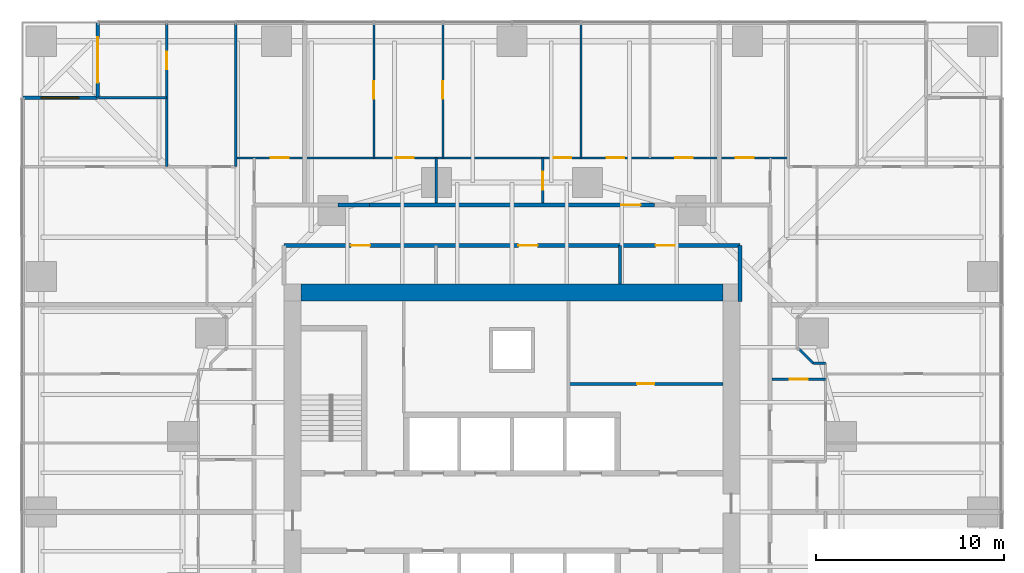
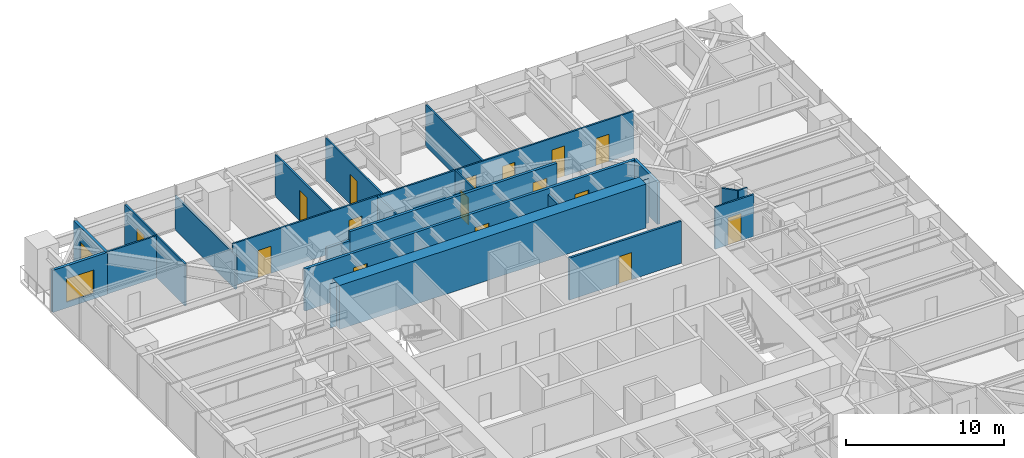
# One storey, part 15 of 18: 21 walls, 17 doors, 1 window, 18 openings.
"""IFC4 building model written with IfcOpenShell, lengths in metres."""

from ifc_helpers import new_model, si_unit, direction, frame, frame_2d, origin, place, context, subcontext, project, spatial, polyline, rectangle, outline, extrude, material, layer, layer_set, type_object, element, fill, save


model = new_model("IFC4")

# Units and contexts
model_context = context("Model", 3, precision=1e-05, world=origin(), true_north=direction((0.0, 1.0)))
body_context = subcontext(model_context, "Body", "Model", "MODEL_VIEW")
ifc_project = project(units=[si_unit("LENGTHUNIT", "METRE"), si_unit("AREAUNIT", "SQUARE_METRE"), si_unit("VOLUMEUNIT", "CUBIC_METRE"), si_unit("PLANEANGLEUNIT", "RADIAN"), si_unit("MASSUNIT", "GRAM", prefix="KILO")], contexts=[model_context])

# Site, building, storey
site_placement = place(None, origin())
site = spatial("IfcSite", under=ifc_project, at=site_placement, CompositionType="ELEMENT")
building_placement = place(site_placement, origin())
building = spatial("IfcBuilding", under=site, at=building_placement, Name="Torsade Residences", CompositionType="ELEMENT")
storey_placement = place(building_placement, frame((0.0, 0.0, 28.60009765625)))
storey = spatial("IfcBuildingStorey", under=building, at=storey_placement, Name="L07", CompositionType="ELEMENT", Elevation=28.60009765625)

# Wall
ifc_material_1 = material(Name="Concrete 80 MPa", Category="concrete")
ifc_layer_1 = layer(ifc_material_1, 0.89990234375)
ifc_layer_set_1 = layer_set([ifc_layer_1], Name="Concrete 80 MPa")
wall_type_1 = type_object("IfcWallType", Name="CORE WALL 900", PredefinedType="SHEAR", material=ifc_layer_set_1)
wall_1_placement = place(storey_placement, frame((28.800048828125, 41.64990234375, 0.0), z_axis=(0.0, 0.0, 1.0), x_axis=(1.0, 0.0, 0.0)))
element("IfcWall", 1, at=wall_1_placement, inside=storey, type_object=wall_type_1, Name="Core wall N L07", PredefinedType="SHEAR", context=body_context, shape_type="SweptSolid", body=[
    extrude(outline(polyline([(0.0, -0.449951171875), (22.39990234375, -0.449951171875), (22.39990234375, -0.02490234375), (22.849853515625, -0.02490234375), (22.849853515625, 0.02490234375), (22.39990234375, 0.02490234375), (22.39990234375, 0.449951171875), (0.0, 0.449951171875), (0.0, 0.02490234375), (-0.449951171875, 0.02490234375), (-0.449951171875, -0.02490234375), (0.0, -0.02490234375), (0.0, -0.449951171875)])), origin(), (0.0, 0.0, 1.0), 3.39990234375),
])

# Wall, opening, door
ifc_material_2 = material(Name="Plasterboard on steel stud", Category="steel")
ifc_layer_2 = layer(ifc_material_2, 0.199951171875)
ifc_layer_set_2 = layer_set([ifc_layer_2], Name="Plasterboard on steel stud")
wall_type_2 = type_object("IfcWallType", Name="CORRIDOR WALL 200", PredefinedType="PARTITIONING", material=ifc_layer_set_2)
wall_2_placement = place(storey_placement, frame((47.558349609375, 46.300048828125, 0.0), z_axis=(0.0, 0.0, 1.0), x_axis=(-1.0, 0.0, 0.0)))
wall_2 = element("IfcWall", 2, at=wall_2_placement, inside=storey, type_object=wall_type_2, Name="Corridor wall L07", PredefinedType="PARTITIONING", context=body_context, shape_type="SweptSolid", body=[
    extrude(rectangle(XDim=15.11669921875, YDim=0.199951171875, at=frame_2d((7.558349609375, 0.0))), origin(), (0.0, 0.0, 1.0), 3.25),
])
opening_1_placement = place(wall_2_placement, frame((0.72900390625, 0.0, 0.0)))
opening_1 = element("IfcOpeningElement", 3, at=opening_1_placement, cuts=wall_2, Name="Opening D01", PredefinedType="OPENING", context=body_context, shape_type="SweptSolid", body=[
    extrude(rectangle(XDim=1.02001953125, YDim=2.340087890625, at=frame_2d((0.510009765625, 1.169921875))), frame((0.0, 0.10986328125, 0.0), z_axis=(0.0, -1.0, 0.0), x_axis=(1.0, 0.0, 0.0)), (0.0, 0.0, 1.0), 0.219970703125),
])
ifc_material_3 = material(Name="Solid-core timber fire door", Category="wood")
door_type_1 = type_object("IfcDoorType", Name="APARTMENT ENTRY DOOR 1020x2340", OperationType="NOTDEFINED", PredefinedType="DOOR", material=ifc_material_3)
door_1_placement = place(opening_1_placement, origin())
door_1 = element("IfcDoor", 4, at=door_1_placement, inside=storey, type_object=door_type_1, Name="Door Residential corridor to Kitchen and dining", OperationType="SINGLE_SWING_LEFT", OverallHeight=2.340087890625, OverallWidth=1.02001953125, PredefinedType="DOOR", context=body_context, shape_type="SweptSolid", body=[
    extrude(rectangle(XDim=1.02001953125, YDim=2.340087890625, at=frame_2d((0.510009765625, 1.169921875))), frame((0.0, 0.02490234375, 0.0), z_axis=(0.0, -1.0, 0.0), x_axis=(1.0, 0.0, 0.0)), (0.0, 0.0, 1.0), 0.050048828125),
])
fill(opening_1, door_1)

# Wall
wall_3_placement = place(storey_placement, frame((32.441650390625, 46.300048828125, 0.0), z_axis=(0.0, 0.0, 1.0), x_axis=(-1.0, 0.0, 0.0)))
element("IfcWall", 5, at=wall_3_placement, inside=storey, type_object=wall_type_2, Name="Corridor wall L07", PredefinedType="PARTITIONING", context=body_context, shape_type="SweptSolid", body=[
    extrude(rectangle(XDim=1.683349609375, YDim=0.199951171875, at=frame_2d((0.841796875, 0.0))), origin(), (0.0, 0.0, 1.0), 2.5498046875),
])

# Wall, openings, doors
wall_4_placement = place(storey_placement, frame((52.10009765625, 44.14990234375, 0.0), z_axis=(0.0, 0.0, 1.0), x_axis=(-1.0, 0.0, 0.0)))
wall_4 = element("IfcWall", 6, at=wall_4_placement, inside=storey, type_object=wall_type_2, Name="Corridor wall L07", PredefinedType="PARTITIONING", context=body_context, shape_type="SweptSolid", body=[
    extrude(rectangle(XDim=24.2001953125, YDim=0.199951171875, at=frame_2d((12.10009765625, 0.0))), origin(), (0.0, 0.0, 1.0), 3.25),
])
opening_2_placement = place(wall_4_placement, frame((10.742919921875, 0.0, 0.0)))
opening_2 = element("IfcOpeningElement", 7, at=opening_2_placement, cuts=wall_4, Name="Opening D03", PredefinedType="OPENING", context=body_context, shape_type="SweptSolid", body=[
    extrude(rectangle(XDim=1.02001953125, YDim=2.10009765625, at=frame_2d((0.510009765625, 1.050048828125))), frame((0.0, 0.10986328125, 0.0), z_axis=(0.0, -1.0, 0.0), x_axis=(1.0, 0.0, 0.0)), (0.0, 0.0, 1.0), 0.219970703125),
])
opening_3_placement = place(wall_4_placement, frame((19.6357421875, 0.0, 0.0)))
opening_3 = element("IfcOpeningElement", 8, at=opening_3_placement, cuts=wall_4, Name="Opening D03", PredefinedType="OPENING", context=body_context, shape_type="SweptSolid", body=[
    extrude(rectangle(XDim=1.02001953125, YDim=2.10009765625, at=frame_2d((0.510009765625, 1.050048828125))), frame((0.0, 0.10986328125, 0.0), z_axis=(0.0, -1.0, 0.0), x_axis=(1.0, 0.0, 0.0)), (0.0, 0.0, 1.0), 0.219970703125),
])
opening_4_placement = place(wall_4_placement, frame((3.447265625, 0.0, 0.0)))
opening_4 = element("IfcOpeningElement", 9, at=opening_4_placement, cuts=wall_4, Name="Opening D03", PredefinedType="OPENING", context=body_context, shape_type="SweptSolid", body=[
    extrude(rectangle(XDim=1.02001953125, YDim=2.10009765625, at=frame_2d((0.510009765625, 1.050048828125))), frame((0.0, 0.10986328125, 0.0), z_axis=(0.0, -1.0, 0.0), x_axis=(1.0, 0.0, 0.0)), (0.0, 0.0, 1.0), 0.219970703125),
])
ifc_material_4 = material(Name="Steel-framed fire door", Category="steel")
door_type_2 = type_object("IfcDoorType", Name="FIRE DOOR 1020", OperationType="NOTDEFINED", PredefinedType="DOOR", material=ifc_material_4)
door_2_placement = place(opening_2_placement, origin())
door_2 = element("IfcDoor", 10, at=door_2_placement, inside=storey, type_object=door_type_2, Name="Door Residential corridor to Residents storage", OperationType="SINGLE_SWING_LEFT", OverallHeight=2.10009765625, OverallWidth=1.02001953125, PredefinedType="DOOR", context=body_context, shape_type="SweptSolid", body=[
    extrude(rectangle(XDim=1.02001953125, YDim=2.10009765625, at=frame_2d((0.510009765625, 1.050048828125))), frame((0.0, 0.02490234375, 0.0), z_axis=(0.0, -1.0, 0.0), x_axis=(1.0, 0.0, 0.0)), (0.0, 0.0, 1.0), 0.050048828125),
])
fill(opening_2, door_2)
door_3_placement = place(opening_3_placement, origin())
door_3 = element("IfcDoor", 11, at=door_3_placement, inside=storey, type_object=door_type_2, Name="Door Residential corridor to Bulk store", OperationType="SINGLE_SWING_RIGHT", OverallHeight=2.10009765625, OverallWidth=1.02001953125, PredefinedType="DOOR", context=body_context, shape_type="SweptSolid", body=[
    extrude(rectangle(XDim=1.02001953125, YDim=2.10009765625, at=frame_2d((0.510009765625, 1.050048828125))), frame((0.0, 0.02490234375, 0.0), z_axis=(0.0, -1.0, 0.0), x_axis=(1.0, 0.0, 0.0)), (0.0, 0.0, 1.0), 0.050048828125),
])
fill(opening_3, door_3)
door_4_placement = place(opening_4_placement, origin())
door_4 = element("IfcDoor", 12, at=door_4_placement, inside=storey, type_object=door_type_2, Name="Door Residential corridor to Parcel room", OperationType="SINGLE_SWING_RIGHT", OverallHeight=2.10009765625, OverallWidth=1.02001953125, PredefinedType="DOOR", context=body_context, shape_type="SweptSolid", body=[
    extrude(rectangle(XDim=1.02001953125, YDim=2.10009765625, at=frame_2d((0.510009765625, 1.050048828125))), frame((0.0, 0.02490234375, 0.0), z_axis=(0.0, -1.0, 0.0), x_axis=(1.0, 0.0, 0.0)), (0.0, 0.0, 1.0), 0.050048828125),
])
fill(opening_4, door_4)

# Wall
wall_5_placement = place(storey_placement, frame((52.10009765625, 41.179931640625, 0.0), z_axis=(0.0, 0.0, 1.0), x_axis=(0.0, 1.0, 0.0)))
element("IfcWall", 13, at=wall_5_placement, inside=storey, type_object=wall_type_2, Name="Corridor wall L07", PredefinedType="PARTITIONING", context=body_context, shape_type="SweptSolid", body=[
    extrude(rectangle(XDim=2.969970703125, YDim=0.199951171875, at=frame_2d((1.48486328125, 0.0))), origin(), (0.0, 0.0, 1.0), 3.25),
])

# Wall, opening, door
ifc_material_5 = material(Name="Plasterboard on steel stud", Category="steel")
ifc_layer_3 = layer(ifc_material_5, 0.1201171875)
ifc_layer_set_3 = layer_set([ifc_layer_3], Name="Plasterboard on steel stud")
wall_type_3 = type_object("IfcWallType", Name="PARTITION 120", PredefinedType="PARTITIONING", material=ifc_layer_set_3)
wall_6_placement = place(storey_placement, frame((53.800048828125, 37.046142578125, 0.0), z_axis=(0.0, 0.0, 1.0), x_axis=(1.0, 0.0, 0.0)))
wall_6 = element("IfcWall", 14, at=wall_6_placement, inside=storey, type_object=wall_type_3, Name="Partition L07", PredefinedType="PARTITIONING", context=body_context, shape_type="SweptSolid", body=[
    extrude(rectangle(XDim=2.849853515625, YDim=0.1201171875, at=frame_2d((1.4248046875, 0.0))), origin(), (0.0, 0.0, 1.0), 3.25),
])
opening_5_placement = place(wall_6_placement, frame((0.945068359375, 0.0, 0.0)))
opening_5 = element("IfcOpeningElement", 15, at=opening_5_placement, cuts=wall_6, Name="Opening D05", PredefinedType="OPENING", context=body_context, shape_type="SweptSolid", body=[
    extrude(rectangle(XDim=0.9599609375, YDim=2.10009765625, at=frame_2d((0.47998046875, 1.050048828125))), frame((0.0, 0.070068359375, 0.0), z_axis=(0.0, -1.0, 0.0), x_axis=(1.0, 0.0, 0.0)), (0.0, 0.0, 1.0), 0.14013671875),
])
ifc_material_6 = material(Name="Hollow-core timber door in a steel cavity frame", Category="steel")
door_type_3 = type_object("IfcDoorType", Name="BATHROOM CAVITY SLIDING DOOR 960", OperationType="SLIDING_TO_LEFT", PredefinedType="DOOR", material=ifc_material_6)
door_5_placement = place(opening_5_placement, origin())
door_5 = element("IfcDoor", 16, at=door_5_placement, inside=storey, type_object=door_type_3, Name="Door Kitchen and dining to Bathroom", OperationType="SLIDING_TO_LEFT", OverallHeight=2.10009765625, OverallWidth=0.9599609375, PredefinedType="DOOR", context=body_context, shape_type="SweptSolid", body=[
    extrude(rectangle(XDim=0.9599609375, YDim=2.10009765625, at=frame_2d((0.47998046875, 1.050048828125))), frame((0.0, 0.02490234375, 0.0), z_axis=(0.0, -1.0, 0.0), x_axis=(1.0, 0.0, 0.0)), (0.0, 0.0, 1.0), 0.050048828125),
])
fill(opening_5, door_5)

# Walls
wall_7_placement = place(storey_placement, frame((55.25, 38.64990234375, 0.0), z_axis=(0.0, 0.0, 1.0), x_axis=(0.707106781187, -0.707106781187, 0.0)))
element("IfcWall", 17, at=wall_7_placement, inside=storey, type_object=wall_type_3, Name="Partition L07", PredefinedType="PARTITIONING", context=body_context, shape_type="SweptSolid", body=[
    extrude(rectangle(XDim=1.060546875, YDim=0.1201171875, at=frame_2d((0.5302734375, 0.0))), origin(), (0.0, 0.0, 1.0), 3.25),
])
wall_8_placement = place(storey_placement, frame((56.0, 37.89990234375, 0.0), z_axis=(0.0, 0.0, 1.0), x_axis=(1.0, 0.0, 0.0)))
element("IfcWall", 18, at=wall_8_placement, inside=storey, type_object=wall_type_3, Name="Partition L07", PredefinedType="PARTITIONING", context=body_context, shape_type="SweptSolid", body=[
    extrude(rectangle(XDim=0.64990234375, YDim=0.1201171875, at=frame_2d((0.324951171875, 0.0))), origin(), (0.0, 0.0, 1.0), 3.25),
])

# Wall, openings, doors
wall_9_placement = place(storey_placement, frame((25.333251953125, 48.800048828125, 0.0), z_axis=(0.0, 0.0, 1.0), x_axis=(1.0, 0.0, 0.0)))
wall_9 = element("IfcWall", 19, at=wall_9_placement, inside=storey, type_object=wall_type_3, Name="Partition L07", PredefinedType="PARTITIONING", context=body_context, shape_type="SweptSolid", body=[
    extrude(rectangle(XDim=29.33349609375, YDim=0.1201171875, at=frame_2d((14.666748046875, 0.0))), origin(), (0.0, 0.0, 1.0), 3.25),
])
opening_6_placement = place(wall_9_placement, frame((19.706787109375, 0.0, 0.0)))
opening_6 = element("IfcOpeningElement", 20, at=opening_6_placement, cuts=wall_9, Name="Opening D02", PredefinedType="OPENING", context=body_context, shape_type="SweptSolid", body=[
    extrude(rectangle(XDim=0.919921875, YDim=2.340087890625, at=frame_2d((0.4599609375, 1.169921875))), frame((0.0, 0.070068359375, 0.0), z_axis=(0.0, -1.0, 0.0), x_axis=(1.0, 0.0, 0.0)), (0.0, 0.0, 1.0), 0.14013671875),
])
opening_7_placement = place(wall_9_placement, frame((23.348388671875, 0.0, 0.0)))
opening_7 = element("IfcOpeningElement", 21, at=opening_7_placement, cuts=wall_9, Name="Opening D02", PredefinedType="OPENING", context=body_context, shape_type="SweptSolid", body=[
    extrude(rectangle(XDim=0.919921875, YDim=2.340087890625, at=frame_2d((0.4599609375, 1.169921875))), frame((0.0, 0.070068359375, 0.0), z_axis=(0.0, -1.0, 0.0), x_axis=(1.0, 0.0, 0.0)), (0.0, 0.0, 1.0), 0.14013671875),
])
opening_8_placement = place(wall_9_placement, frame((16.88427734375, 0.0, 0.0)))
opening_8 = element("IfcOpeningElement", 22, at=opening_8_placement, cuts=wall_9, Name="Opening D02", PredefinedType="OPENING", context=body_context, shape_type="SweptSolid", body=[
    extrude(rectangle(XDim=0.919921875, YDim=2.340087890625, at=frame_2d((0.4599609375, 1.169921875))), frame((0.0, 0.070068359375, 0.0), z_axis=(0.0, -1.0, 0.0), x_axis=(1.0, 0.0, 0.0)), (0.0, 0.0, 1.0), 0.14013671875),
])
opening_9_placement = place(wall_9_placement, frame((26.548828125, 0.0, 0.0)))
opening_9 = element("IfcOpeningElement", 23, at=opening_9_placement, cuts=wall_9, Name="Opening D05", PredefinedType="OPENING", context=body_context, shape_type="SweptSolid", body=[
    extrude(rectangle(XDim=0.9599609375, YDim=2.10009765625, at=frame_2d((0.47998046875, 1.050048828125))), frame((0.0, 0.070068359375, 0.0), z_axis=(0.0, -1.0, 0.0), x_axis=(1.0, 0.0, 0.0)), (0.0, 0.0, 1.0), 0.14013671875),
])
opening_10_placement = place(wall_9_placement, frame((1.843994140625, 0.0, 0.0)))
opening_10 = element("IfcOpeningElement", 24, at=opening_10_placement, cuts=wall_9, Name="Opening D05", PredefinedType="OPENING", context=body_context, shape_type="SweptSolid", body=[
    extrude(rectangle(XDim=0.9599609375, YDim=2.10009765625, at=frame_2d((0.47998046875, 1.050048828125))), frame((0.0, 0.070068359375, 0.0), z_axis=(0.0, -1.0, 0.0), x_axis=(1.0, 0.0, 0.0)), (0.0, 0.0, 1.0), 0.14013671875),
])
opening_11_placement = place(wall_9_placement, frame((8.484130859375, 0.0, 0.0)))
opening_11 = element("IfcOpeningElement", 25, at=opening_11_placement, cuts=wall_9, Name="Opening D05", PredefinedType="OPENING", context=body_context, shape_type="SweptSolid", body=[
    extrude(rectangle(XDim=0.9599609375, YDim=2.10009765625, at=frame_2d((0.47998046875, 1.050048828125))), frame((0.0, 0.070068359375, 0.0), z_axis=(0.0, -1.0, 0.0), x_axis=(1.0, 0.0, 0.0)), (0.0, 0.0, 1.0), 0.14013671875),
])
door_6_placement = place(opening_9_placement, origin())
door_6 = element("IfcDoor", 26, at=door_6_placement, inside=storey, type_object=door_type_3, Name="Door Bathroom to Study", OperationType="SLIDING_TO_LEFT", OverallHeight=2.10009765625, OverallWidth=0.9599609375, PredefinedType="DOOR", context=body_context, shape_type="SweptSolid", body=[
    extrude(rectangle(XDim=0.9599609375, YDim=2.10009765625, at=frame_2d((0.47998046875, 1.050048828125))), frame((0.0, 0.02490234375, 0.0), z_axis=(0.0, -1.0, 0.0), x_axis=(1.0, 0.0, 0.0)), (0.0, 0.0, 1.0), 0.050048828125),
])
fill(opening_9, door_6)
door_7_placement = place(opening_10_placement, origin())
door_7 = element("IfcDoor", 27, at=door_7_placement, inside=storey, type_object=door_type_3, Name="Door Bathroom to Study", OperationType="SLIDING_TO_LEFT", OverallHeight=2.10009765625, OverallWidth=0.9599609375, PredefinedType="DOOR", context=body_context, shape_type="SweptSolid", body=[
    extrude(rectangle(XDim=0.9599609375, YDim=2.10009765625, at=frame_2d((0.47998046875, 1.050048828125))), frame((0.0, 0.02490234375, 0.0), z_axis=(0.0, -1.0, 0.0), x_axis=(1.0, 0.0, 0.0)), (0.0, 0.0, 1.0), 0.050048828125),
])
fill(opening_10, door_7)
door_8_placement = place(opening_11_placement, origin())
door_8 = element("IfcDoor", 28, at=door_8_placement, inside=storey, type_object=door_type_3, Name="Door Family room to Bathroom", OperationType="SLIDING_TO_LEFT", OverallHeight=2.10009765625, OverallWidth=0.9599609375, PredefinedType="DOOR", context=body_context, shape_type="SweptSolid", body=[
    extrude(rectangle(XDim=0.9599609375, YDim=2.10009765625, at=frame_2d((0.47998046875, 1.050048828125))), frame((0.0, 0.02490234375, 0.0), z_axis=(0.0, -1.0, 0.0), x_axis=(1.0, 0.0, 0.0)), (0.0, 0.0, 1.0), 0.050048828125),
])
fill(opening_11, door_8)
ifc_material_7 = material(Name="Hollow-core timber door", Category="wood")
door_type_4 = type_object("IfcDoorType", Name="INTERNAL DOOR 920x2340", OperationType="NOTDEFINED", PredefinedType="DOOR", material=ifc_material_7)
door_9_placement = place(opening_6_placement, origin())
door_9 = element("IfcDoor", 29, at=door_9_placement, inside=storey, type_object=door_type_4, Name="Door Kitchen and dining to Study", OperationType="SINGLE_SWING_RIGHT", OverallHeight=2.340087890625, OverallWidth=0.919921875, PredefinedType="DOOR", context=body_context, shape_type="SweptSolid", body=[
    extrude(rectangle(XDim=0.919921875, YDim=2.340087890625, at=frame_2d((0.4599609375, 1.169921875))), frame((0.0, 0.02490234375, 0.0), z_axis=(0.0, -1.0, 0.0), x_axis=(1.0, 0.0, 0.0)), (0.0, 0.0, 1.0), 0.050048828125),
])
fill(opening_6, door_9)
door_10_placement = place(opening_7_placement, origin())
door_10 = element("IfcDoor", 30, at=door_10_placement, inside=storey, type_object=door_type_4, Name="Door Kitchen and dining to Bedroom 1", OperationType="SINGLE_SWING_LEFT", OverallHeight=2.340087890625, OverallWidth=0.919921875, PredefinedType="DOOR", context=body_context, shape_type="SweptSolid", body=[
    extrude(rectangle(XDim=0.919921875, YDim=2.340087890625, at=frame_2d((0.4599609375, 1.169921875))), frame((0.0, 0.02490234375, 0.0), z_axis=(0.0, -1.0, 0.0), x_axis=(1.0, 0.0, 0.0)), (0.0, 0.0, 1.0), 0.050048828125),
])
fill(opening_7, door_10)
door_11_placement = place(opening_8_placement, origin())
door_11 = element("IfcDoor", 31, at=door_11_placement, inside=storey, type_object=door_type_4, Name="Door Kitchen and dining to Living room", OperationType="SINGLE_SWING_RIGHT", OverallHeight=2.340087890625, OverallWidth=0.919921875, PredefinedType="DOOR", context=body_context, shape_type="SweptSolid", body=[
    extrude(rectangle(XDim=0.919921875, YDim=2.340087890625, at=frame_2d((0.4599609375, 1.169921875))), frame((0.0, 0.02490234375, 0.0), z_axis=(0.0, -1.0, 0.0), x_axis=(1.0, 0.0, 0.0)), (0.0, 0.0, 1.0), 0.050048828125),
])
fill(opening_8, door_11)

# Wall, opening, door
wall_10_placement = place(storey_placement, frame((41.63818359375, 46.39990234375, 0.0), z_axis=(0.0, 0.0, 1.0), x_axis=(0.0, 1.0, 0.0)))
wall_10 = element("IfcWall", 32, at=wall_10_placement, inside=storey, type_object=wall_type_3, Name="Partition L07", PredefinedType="PARTITIONING", context=body_context, shape_type="SweptSolid", body=[
    extrude(rectangle(XDim=2.400146484375, YDim=0.1201171875, at=frame_2d((1.2001953125, 0.0))), origin(), (0.0, 0.0, 1.0), 3.25),
])
opening_12_placement = place(wall_10_placement, frame((0.719970703125, 0.0, 0.0)))
opening_12 = element("IfcOpeningElement", 33, at=opening_12_placement, cuts=wall_10, Name="Opening D05", PredefinedType="OPENING", context=body_context, shape_type="SweptSolid", body=[
    extrude(rectangle(XDim=0.9599609375, YDim=2.10009765625, at=frame_2d((0.47998046875, 1.050048828125))), frame((0.0, 0.070068359375, 0.0), z_axis=(0.0, -1.0, 0.0), x_axis=(1.0, 0.0, 0.0)), (0.0, 0.0, 1.0), 0.14013671875),
])
door_12_placement = place(opening_12_placement, origin())
door_12 = element("IfcDoor", 34, at=door_12_placement, inside=storey, type_object=door_type_3, Name="Door Kitchen and dining to Ensuite", OperationType="SLIDING_TO_LEFT", OverallHeight=2.10009765625, OverallWidth=0.9599609375, PredefinedType="DOOR", context=body_context, shape_type="SweptSolid", body=[
    extrude(rectangle(XDim=0.9599609375, YDim=2.10009765625, at=frame_2d((0.47998046875, 1.050048828125))), frame((0.0, 0.02490234375, 0.0), z_axis=(0.0, -1.0, 0.0), x_axis=(1.0, 0.0, 0.0)), (0.0, 0.0, 1.0), 0.050048828125),
])
fill(opening_12, door_12)

# Walls
wall_11_placement = place(storey_placement, frame((35.97802734375, 48.800048828125, 0.0), z_axis=(0.0, 0.0, 1.0), x_axis=(0.0, -1.0, 0.0)))
element("IfcWall", 35, at=wall_11_placement, inside=storey, type_object=wall_type_3, Name="Partition L07", PredefinedType="PARTITIONING", context=body_context, shape_type="SweptSolid", body=[
    extrude(rectangle(XDim=2.400146484375, YDim=0.1201171875, at=frame_2d((1.2001953125, 0.0))), origin(), (0.0, 0.0, 1.0), 3.25),
])
wall_12_placement = place(storey_placement, frame((43.666748046875, 55.9599609375, 0.0), z_axis=(0.0, 0.0, 1.0), x_axis=(0.0, -1.0, 0.0)))
element("IfcWall", 36, at=wall_12_placement, inside=storey, type_object=wall_type_3, Name="Partition L07", PredefinedType="PARTITIONING", context=body_context, shape_type="SweptSolid", body=[
    extrude(rectangle(XDim=7.159912109375, YDim=0.1201171875, at=frame_2d((3.580078125, 0.0))), origin(), (0.0, 0.0, 1.0), 3.25),
])

# Wall, opening, door
wall_13_placement = place(storey_placement, frame((36.333251953125, 48.800048828125, 0.0), z_axis=(0.0, 0.0, 1.0), x_axis=(0.0, 1.0, 0.0)))
wall_13 = element("IfcWall", 37, at=wall_13_placement, inside=storey, type_object=wall_type_3, Name="Partition L07", PredefinedType="PARTITIONING", context=body_context, shape_type="SweptSolid", body=[
    extrude(rectangle(XDim=7.159912109375, YDim=0.1201171875, at=frame_2d((3.580078125, 0.0))), origin(), (0.0, 0.0, 1.0), 3.25),
])
opening_13_placement = place(wall_13_placement, frame((3.139892578125, 0.0, 0.0)))
opening_13 = element("IfcOpeningElement", 38, at=opening_13_placement, cuts=wall_13, Name="Opening D02", PredefinedType="OPENING", context=body_context, shape_type="SweptSolid", body=[
    extrude(rectangle(XDim=0.919921875, YDim=2.340087890625, at=frame_2d((0.4599609375, 1.169921875))), frame((0.0, 0.070068359375, 0.0), z_axis=(0.0, -1.0, 0.0), x_axis=(1.0, 0.0, 0.0)), (0.0, 0.0, 1.0), 0.14013671875),
])
door_13_placement = place(opening_13_placement, origin())
door_13 = element("IfcDoor", 39, at=door_13_placement, inside=storey, type_object=door_type_4, Name="Door Living room to Family room", OperationType="SINGLE_SWING_RIGHT", OverallHeight=2.340087890625, OverallWidth=0.919921875, PredefinedType="DOOR", context=body_context, shape_type="SweptSolid", body=[
    extrude(rectangle(XDim=0.919921875, YDim=2.340087890625, at=frame_2d((0.4599609375, 1.169921875))), frame((0.0, 0.02490234375, 0.0), z_axis=(0.0, -1.0, 0.0), x_axis=(1.0, 0.0, 0.0)), (0.0, 0.0, 1.0), 0.050048828125),
])
fill(opening_13, door_13)

wall_14_placement = place(storey_placement, frame((32.666748046875, 55.9599609375, 0.0), z_axis=(0.0, 0.0, 1.0), x_axis=(0.0, -1.0, 0.0)))
wall_14 = element("IfcWall", 40, at=wall_14_placement, inside=storey, type_object=wall_type_3, Name="Partition L07", PredefinedType="PARTITIONING", context=body_context, shape_type="SweptSolid", body=[
    extrude(rectangle(XDim=7.159912109375, YDim=0.1201171875, at=frame_2d((3.580078125, 0.0))), origin(), (0.0, 0.0, 1.0), 3.25),
])
opening_14_placement = place(wall_14_placement, frame((3.10009765625, 0.0, 0.0)))
opening_14 = element("IfcOpeningElement", 41, at=opening_14_placement, cuts=wall_14, Name="Opening D02", PredefinedType="OPENING", context=body_context, shape_type="SweptSolid", body=[
    extrude(rectangle(XDim=0.919921875, YDim=2.340087890625, at=frame_2d((0.4599609375, 1.169921875))), frame((0.0, 0.070068359375, 0.0), z_axis=(0.0, -1.0, 0.0), x_axis=(1.0, 0.0, 0.0)), (0.0, 0.0, 1.0), 0.14013671875),
])
door_14_placement = place(opening_14_placement, origin())
door_14 = element("IfcDoor", 42, at=door_14_placement, inside=storey, type_object=door_type_4, Name="Door Family room to Bedroom 2", OperationType="SINGLE_SWING_RIGHT", OverallHeight=2.340087890625, OverallWidth=0.919921875, PredefinedType="DOOR", context=body_context, shape_type="SweptSolid", body=[
    extrude(rectangle(XDim=0.919921875, YDim=2.340087890625, at=frame_2d((0.4599609375, 1.169921875))), frame((0.0, 0.02490234375, 0.0), z_axis=(0.0, -1.0, 0.0), x_axis=(1.0, 0.0, 0.0)), (0.0, 0.0, 1.0), 0.050048828125),
])
fill(opening_14, door_14)

# Wall
wall_15_placement = place(storey_placement, frame((25.333251953125, 48.333251953125, 0.0), z_axis=(0.0, 0.0, 1.0), x_axis=(0.0, 1.0, 0.0)))
element("IfcWall", 43, at=wall_15_placement, inside=storey, type_object=wall_type_3, Name="Partition L07", PredefinedType="PARTITIONING", context=body_context, shape_type="SweptSolid", body=[
    extrude(rectangle(XDim=7.626708984375, YDim=0.1201171875, at=frame_2d((3.8134765625, 0.0))), origin(), (0.0, 0.0, 1.0), 2.637939453125),
])

# Wall, opening, door
wall_16_placement = place(storey_placement, frame((21.666748046875, 55.9599609375, 0.0), z_axis=(0.0, 0.0, 1.0), x_axis=(0.0, -1.0, 0.0)))
wall_16 = element("IfcWall", 44, at=wall_16_placement, inside=storey, type_object=wall_type_3, Name="Partition L07", PredefinedType="PARTITIONING", context=body_context, shape_type="SweptSolid", body=[
    extrude(rectangle(XDim=7.626708984375, YDim=0.1201171875, at=frame_2d((3.8134765625, 0.0))), origin(), (0.0, 0.0, 1.0), 3.25),
])
opening_15_placement = place(wall_16_placement, frame((1.52490234375, 0.0, 0.0)))
opening_15 = element("IfcOpeningElement", 45, at=opening_15_placement, cuts=wall_16, Name="Opening D02", PredefinedType="OPENING", context=body_context, shape_type="SweptSolid", body=[
    extrude(rectangle(XDim=0.919921875, YDim=2.340087890625, at=frame_2d((0.4599609375, 1.169921875))), frame((0.0, 0.070068359375, 0.0), z_axis=(0.0, -1.0, 0.0), x_axis=(1.0, 0.0, 0.0)), (0.0, 0.0, 1.0), 0.14013671875),
])
door_15_placement = place(opening_15_placement, origin())
door_15 = element("IfcDoor", 46, at=door_15_placement, inside=storey, type_object=door_type_4, Name="Door Bedroom 2 to Family room", OperationType="SINGLE_SWING_RIGHT", OverallHeight=2.340087890625, OverallWidth=0.919921875, PredefinedType="DOOR", context=body_context, shape_type="SweptSolid", body=[
    extrude(rectangle(XDim=0.919921875, YDim=2.340087890625, at=frame_2d((0.4599609375, 1.169921875))), frame((0.0, 0.02490234375, 0.0), z_axis=(0.0, -1.0, 0.0), x_axis=(1.0, 0.0, 0.0)), (0.0, 0.0, 1.0), 0.050048828125),
])
fill(opening_15, door_15)

# Wall
wall_17_placement = place(storey_placement, frame((18.0400390625, 52.0, 0.0), z_axis=(0.0, 0.0, 1.0), x_axis=(1.0, 0.0, 0.0)))
element("IfcWall", 47, at=wall_17_placement, inside=storey, type_object=wall_type_3, Name="Partition L07", PredefinedType="PARTITIONING", context=body_context, shape_type="SweptSolid", body=[
    extrude(rectangle(XDim=3.626708984375, YDim=0.1201171875, at=frame_2d((1.8134765625, 0.0))), origin(), (0.0, 0.0, 1.0), 3.25),
])

# Wall, opening, door
ifc_material_8 = material(Name="Reinforced blockwork", Category="masonry")
ifc_layer_4 = layer(ifc_material_8, 0.14990234375)
ifc_layer_set_4 = layer_set([ifc_layer_4], Name="Reinforced blockwork")
wall_type_4 = type_object("IfcWallType", Name="SERVICE ROOM WALL 150", PredefinedType="SOLIDWALL", material=ifc_layer_set_4)
wall_18_placement = place(storey_placement, frame((43.0, 36.800048828125, 0.0), z_axis=(0.0, 0.0, 1.0), x_axis=(1.0, 0.0, 0.0)))
wall_18 = element("IfcWall", 48, at=wall_18_placement, inside=storey, type_object=wall_type_4, Name="Service room wall L07", PredefinedType="SOLIDWALL", context=body_context, shape_type="SweptSolid", body=[
    extrude(rectangle(XDim=8.199951171875, YDim=0.14990234375, at=frame_2d((4.10009765625, 0.0))), origin(), (0.0, 0.0, 1.0), 3.25),
])
opening_16_placement = place(wall_18_placement, frame((3.639892578125, 0.0, 0.0)))
opening_16 = element("IfcOpeningElement", 49, at=opening_16_placement, cuts=wall_18, Name="Opening D06", PredefinedType="OPENING", context=body_context, shape_type="SweptSolid", body=[
    extrude(rectangle(XDim=0.919921875, YDim=2.10009765625, at=frame_2d((0.4599609375, 1.050048828125))), frame((0.0, 0.0849609375, 0.0), z_axis=(0.0, -1.0, 0.0), x_axis=(1.0, 0.0, 0.0)), (0.0, 0.0, 1.0), 0.169921875),
])
ifc_material_9 = material(Name="Steel-framed fire door", Category="steel")
door_type_5 = type_object("IfcDoorType", Name="FIRE DOOR 920", OperationType="NOTDEFINED", PredefinedType="DOOR", material=ifc_material_9)
door_16_placement = place(opening_16_placement, origin())
door_16 = element("IfcDoor", 50, at=door_16_placement, inside=storey, type_object=door_type_5, Name="Door Refuse room to Recycling room", OperationType="SINGLE_SWING_RIGHT", OverallHeight=2.10009765625, OverallWidth=0.919921875, PredefinedType="DOOR", context=body_context, shape_type="SweptSolid", body=[
    extrude(rectangle(XDim=0.919921875, YDim=2.10009765625, at=frame_2d((0.4599609375, 1.050048828125))), frame((0.0, 0.02490234375, 0.0), z_axis=(0.0, -1.0, 0.0), x_axis=(1.0, 0.0, 0.0)), (0.0, 0.0, 1.0), 0.050048828125),
])
fill(opening_16, door_16)

# Wall
wall_19_placement = place(storey_placement, frame((45.7353515625, 42.10009765625, 0.0), z_axis=(0.0, 0.0, 1.0), x_axis=(0.0, 1.0, 0.0)))
element("IfcWall", 51, at=wall_19_placement, inside=storey, type_object=wall_type_4, Name="Service room wall L07", PredefinedType="SOLIDWALL", context=body_context, shape_type="SweptSolid", body=[
    extrude(rectangle(XDim=2.0498046875, YDim=0.14990234375, at=frame_2d((1.02490234375, 0.0))), origin(), (0.0, 0.0, 1.0), 2.7958984375),
])

# Wall, opening, door
ifc_material_10 = material(Name="Stone-faced precast concrete 40 MPa panel", Category="masonry")
ifc_layer_5 = layer(ifc_material_10, 0.199951171875)
ifc_layer_set_5 = layer_set([ifc_layer_5], Name="Stone-faced precast concrete 40 MPa panel")
wall_type_5 = type_object("IfcWallType", Name="TERRACE WALL 200", PredefinedType="SOLIDWALL", material=ifc_layer_set_5)
wall_20_placement = place(storey_placement, frame((18.0, 56.0, 0.0), z_axis=(0.0, 0.0, 1.0), x_axis=(0.0, -1.0, 0.0)))
wall_20 = element("IfcWall", 52, at=wall_20_placement, inside=storey, type_object=wall_type_5, Name="Terrace wall L07 8", PredefinedType="SOLIDWALL", context=body_context, shape_type="SweptSolid", body=[
    extrude(rectangle(XDim=4.0, YDim=0.199951171875, at=frame_2d((2.0, 0.0))), origin(), (0.0, 0.0, 1.0), 3.25),
])
opening_17_placement = place(wall_20_placement, frame((0.800048828125, 0.0, 0.0)))
opening_17 = element("IfcOpeningElement", 53, at=opening_17_placement, cuts=wall_20, Name="Opening D10A", PredefinedType="OPENING", context=body_context, shape_type="SweptSolid", body=[
    extrude(rectangle(XDim=2.39990234375, YDim=2.10009765625, at=frame_2d((1.199951171875, 1.050048828125))), frame((0.0, 0.10986328125, 0.0), z_axis=(0.0, -1.0, 0.0), x_axis=(1.0, 0.0, 0.0)), (0.0, 0.0, 1.0), 0.219970703125),
])
ifc_material_11 = material(Name="Aluminium-framed glass door", Category="aluminium")
door_type_6 = type_object("IfcDoorType", Name="TERRACE SLIDING DOOR 2400x2100", OperationType="SLIDING_TO_LEFT", PredefinedType="DOOR", material=ifc_material_11)
door_17_placement = place(opening_17_placement, origin())
door_17 = element("IfcDoor", 54, at=door_17_placement, inside=storey, type_object=door_type_6, Name="Terrace door L07 8", OperationType="SLIDING_TO_LEFT", OverallHeight=2.10009765625, OverallWidth=2.39990234375, PredefinedType="DOOR", context=body_context, shape_type="SweptSolid", body=[
    extrude(rectangle(XDim=2.39990234375, YDim=2.10009765625, at=frame_2d((1.199951171875, 1.050048828125))), frame((0.0, 0.02490234375, 0.0), z_axis=(0.0, -1.0, 0.0), x_axis=(1.0, 0.0, 0.0)), (0.0, 0.0, 1.0), 0.050048828125),
])
fill(opening_17, door_17)

# Wall, opening, window
wall_21_placement = place(storey_placement, frame((18.0, 52.0, 0.0), z_axis=(0.0, 0.0, 1.0), x_axis=(-1.0, 0.0, 0.0)))
wall_21 = element("IfcWall", 55, at=wall_21_placement, inside=storey, type_object=wall_type_5, Name="Terrace wall L07 9", PredefinedType="SOLIDWALL", context=body_context, shape_type="SweptSolid", body=[
    extrude(rectangle(XDim=4.0, YDim=0.199951171875, at=frame_2d((2.0, 0.0))), origin(), (0.0, 0.0, 1.0), 3.25),
])
opening_18_placement = place(wall_21_placement, frame((1.0, 0.0, 0.449951171875)))
opening_18 = element("IfcOpeningElement", 56, at=opening_18_placement, cuts=wall_21, Name="Opening W1B", PredefinedType="OPENING", context=body_context, shape_type="SweptSolid", body=[
    extrude(rectangle(XDim=2.0, YDim=1.800048828125, at=frame_2d((1.0, 0.89990234375))), frame((0.0, 0.10986328125, 0.0), z_axis=(0.0, -1.0, 0.0), x_axis=(1.0, 0.0, 0.0)), (0.0, 0.0, 1.0), 0.219970703125),
])
ifc_material_12 = material(Name="Aluminium-framed glass window", Category="aluminium")
window_type = type_object("IfcWindowType", Name="TERRACE WINDOW 2000x1800", PartitioningType="SINGLE_PANEL", PredefinedType="WINDOW", material=ifc_material_12)
window_placement = place(opening_18_placement, origin())
window = element("IfcWindow", 57, at=window_placement, inside=storey, type_object=window_type, Name="Terrace window L07 9", OverallHeight=1.800048828125, OverallWidth=2.0, PartitioningType="SINGLE_PANEL", PredefinedType="WINDOW", context=body_context, shape_type="SweptSolid", body=[
    extrude(rectangle(XDim=2.0, YDim=1.800048828125, at=frame_2d((1.0, 0.89990234375))), frame((0.0, 0.030029296875, 0.0), z_axis=(0.0, -1.0, 0.0), x_axis=(1.0, 0.0, 0.0)), (0.0, 0.0, 1.0), 0.06005859375),
])
fill(opening_18, window)

save(model, "model.ifc")
